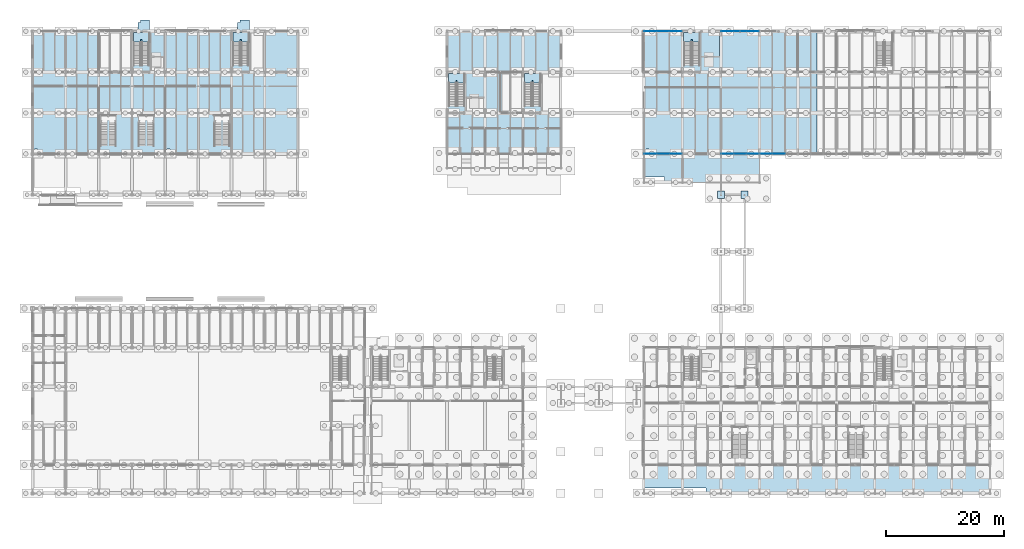
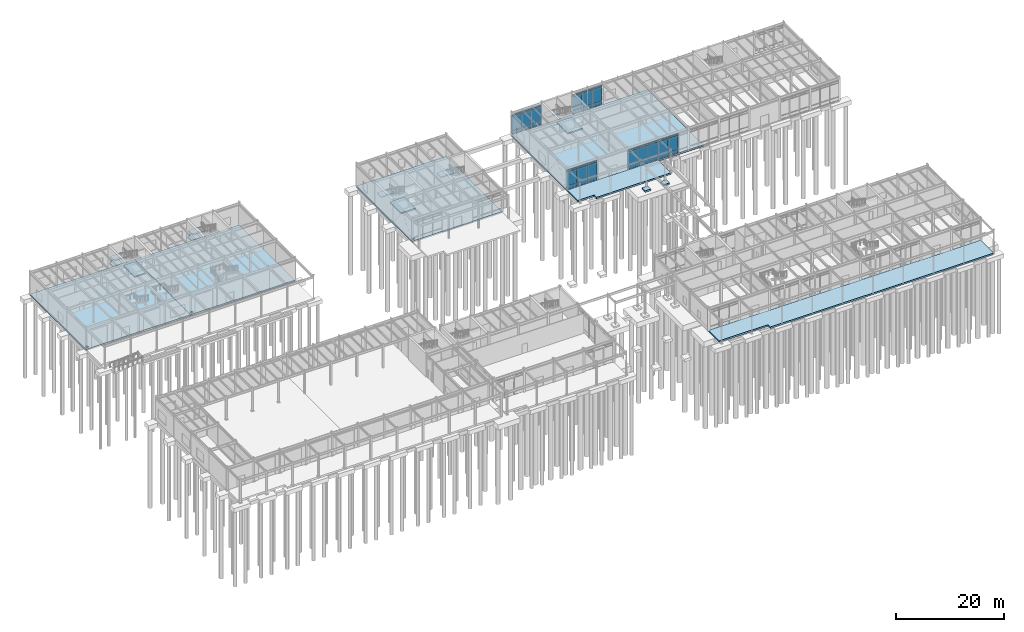
# One storey, part 52 of 82: 42 plates, 18 slabs, 10 elements without a shape of their own.
"""IFC4 building model written with IfcOpenShell, lengths in metres."""

from ifc_helpers import new_model, si_unit, direction, frame, origin, origin_2d, place, context, subcontext, project, spatial, polyline, rectangle, outline, extrude, material, layer, layer_set, type_object, element, aggregate, save


model = new_model("IFC4")

# Units and contexts
model_context = context("Model", 3, precision=1e-05, world=origin(), true_north=direction((0.0, 1.0)))
body_context = subcontext(model_context, "Body", "Model", "MODEL_VIEW")
ifc_project = project(units=[si_unit("LENGTHUNIT", "METRE"), si_unit("AREAUNIT", "SQUARE_METRE"), si_unit("VOLUMEUNIT", "CUBIC_METRE"), si_unit("PLANEANGLEUNIT", "RADIAN"), si_unit("MASSUNIT", "GRAM", prefix="KILO")], contexts=[model_context])

# Site, building, storey
site_placement = place(None, origin())
site = spatial("IfcSite", under=ifc_project, at=site_placement, CompositionType="ELEMENT")
building_placement = place(site_placement, origin())
building = spatial("IfcBuilding", under=site, at=building_placement, Name="Trelmorton Wharf Fire Station", CompositionType="ELEMENT")
storey_placement = place(building_placement, origin())
storey = spatial("IfcBuildingStorey", under=building, at=storey_placement, Name="L00", CompositionType="ELEMENT", Elevation=0.0)

# Curtain wall, plates
ifc_material_1 = material(Name="Anodised aluminium AW-6063", Category="aluminium")
ifc_layer_1 = layer(ifc_material_1, 0.159912109375)
ifc_layer_set_1 = layer_set([ifc_layer_1], Name="Anodised aluminium AW-6063")
curtain_wall_type_1 = type_object("IfcCurtainWallType", Name="CW_CHIC_A", PredefinedType="USERDEFINED", material=ifc_layer_set_1)
curtain_wall_1_placement = place(storey_placement, origin())
curtain_wall_1 = element("IfcCurtainWall", 1, at=curtain_wall_1_placement, inside=storey, type_object=curtain_wall_type_1, Name="CW-V4-L00-113", ObjectType="CHICAGO BAY CURTAIN WALL", PredefinedType="USERDEFINED")
ifc_material_2 = material(Name="Tempered low-E double glazing", Category="glass")
ifc_layer_2 = layer(ifc_material_2, 0.028076171875)
ifc_layer_set_2 = layer_set([ifc_layer_2], Name="Tempered low-E double glazing")
plate_type_1 = type_object("IfcPlateType", Name="CWP_GLAZ_28", PredefinedType="CURTAIN_PANEL", material=ifc_layer_set_2)
plate_1_placement = place(storey_placement, frame((109.3984375, 60.300048828125, 0.06005859375), z_axis=(0.0, 0.0, 1.0), x_axis=(-1.0, 0.0, 0.0)))
plate_1 = element("IfcPlate", 2, at=plate_1_placement, type_object=plate_type_1, Name="CW1 panel 1.1", PredefinedType="CURTAIN_PANEL", context=body_context, shape_type="SweptSolid", body=[
    extrude(rectangle(XDim=2.0732421875, YDim=0.028076171875, at=origin_2d()), origin(), (0.0, 0.0, 1.0), 0.760009765625),
])
plate_2_placement = place(storey_placement, frame((109.3984375, 60.300048828125, 0.8798828125), z_axis=(0.0, 0.0, 1.0), x_axis=(-1.0, 0.0, 0.0)))
plate_2 = element("IfcPlate", 3, at=plate_2_placement, type_object=plate_type_1, Name="CW1 panel 1.2", PredefinedType="CURTAIN_PANEL", context=body_context, shape_type="SweptSolid", body=[
    extrude(rectangle(XDim=2.0732421875, YDim=0.028076171875, at=origin_2d()), origin(), (0.0, 0.0, 1.0), 3.110107421875),
])
plate_3_placement = place(storey_placement, frame((109.3984375, 60.300048828125, 4.0498046875), z_axis=(0.0, 0.0, 1.0), x_axis=(-1.0, 0.0, 0.0)))
plate_3 = element("IfcPlate", 4, at=plate_3_placement, type_object=plate_type_1, Name="CW1 panel 1.3", PredefinedType="CURTAIN_PANEL", context=body_context, shape_type="SweptSolid", body=[
    extrude(rectangle(XDim=2.0732421875, YDim=0.028076171875, at=origin_2d()), origin(), (0.0, 0.0, 1.0), 0.409912109375),
])
plate_4_placement = place(storey_placement, frame((107.25, 60.300048828125, 0.06005859375), z_axis=(0.0, 0.0, 1.0), x_axis=(-1.0, 0.0, 0.0)))
plate_4 = element("IfcPlate", 5, at=plate_4_placement, type_object=plate_type_1, Name="CW1 panel 2.1", PredefinedType="CURTAIN_PANEL", context=body_context, shape_type="SweptSolid", body=[
    extrude(rectangle(XDim=2.103271484375, YDim=0.028076171875, at=origin_2d()), origin(), (0.0, 0.0, 1.0), 0.760009765625),
])
plate_5_placement = place(storey_placement, frame((107.25, 60.300048828125, 0.8798828125), z_axis=(0.0, 0.0, 1.0), x_axis=(-1.0, 0.0, 0.0)))
plate_5 = element("IfcPlate", 6, at=plate_5_placement, type_object=plate_type_1, Name="CW1 panel 2.2", PredefinedType="CURTAIN_PANEL", context=body_context, shape_type="SweptSolid", body=[
    extrude(rectangle(XDim=2.103271484375, YDim=0.028076171875, at=origin_2d()), origin(), (0.0, 0.0, 1.0), 3.110107421875),
])
plate_6_placement = place(storey_placement, frame((107.25, 60.300048828125, 4.0498046875), z_axis=(0.0, 0.0, 1.0), x_axis=(-1.0, 0.0, 0.0)))
plate_6 = element("IfcPlate", 7, at=plate_6_placement, type_object=plate_type_1, Name="CW1 panel 2.3", PredefinedType="CURTAIN_PANEL", context=body_context, shape_type="SweptSolid", body=[
    extrude(rectangle(XDim=2.103271484375, YDim=0.028076171875, at=origin_2d()), origin(), (0.0, 0.0, 1.0), 0.409912109375),
])
plate_7_placement = place(storey_placement, frame((105.1015625, 60.300048828125, 0.06005859375), z_axis=(0.0, 0.0, 1.0), x_axis=(-1.0, 0.0, 0.0)))
plate_7 = element("IfcPlate", 8, at=plate_7_placement, type_object=plate_type_1, Name="CW1 panel 3.1", PredefinedType="CURTAIN_PANEL", context=body_context, shape_type="SweptSolid", body=[
    extrude(rectangle(XDim=2.0732421875, YDim=0.028076171875, at=origin_2d()), origin(), (0.0, 0.0, 1.0), 0.760009765625),
])
plate_8_placement = place(storey_placement, frame((105.1015625, 60.300048828125, 0.8798828125), z_axis=(0.0, 0.0, 1.0), x_axis=(-1.0, 0.0, 0.0)))
plate_8 = element("IfcPlate", 9, at=plate_8_placement, type_object=plate_type_1, Name="CW1 panel 3.2", PredefinedType="CURTAIN_PANEL", context=body_context, shape_type="SweptSolid", body=[
    extrude(rectangle(XDim=2.0732421875, YDim=0.028076171875, at=origin_2d()), origin(), (0.0, 0.0, 1.0), 3.110107421875),
])
plate_9_placement = place(storey_placement, frame((105.1015625, 60.300048828125, 4.0498046875), z_axis=(0.0, 0.0, 1.0), x_axis=(-1.0, 0.0, 0.0)))
plate_9 = element("IfcPlate", 10, at=plate_9_placement, type_object=plate_type_1, Name="CW1 panel 3.3", PredefinedType="CURTAIN_PANEL", context=body_context, shape_type="SweptSolid", body=[
    extrude(rectangle(XDim=2.0732421875, YDim=0.028076171875, at=origin_2d()), origin(), (0.0, 0.0, 1.0), 0.409912109375),
])
aggregate(curtain_wall_1, [plate_1, plate_2, plate_3, plate_4, plate_5, plate_6, plate_7, plate_8, plate_9])

curtain_wall_2_placement = place(storey_placement, origin())
curtain_wall_2 = element("IfcCurtainWall", 11, at=curtain_wall_2_placement, inside=storey, type_object=curtain_wall_type_1, Name="CW-V4-L00-115", ObjectType="CHICAGO BAY CURTAIN WALL", PredefinedType="USERDEFINED")
plate_10_placement = place(storey_placement, frame((126.75, 60.300048828125, 0.06005859375), z_axis=(0.0, 0.0, 1.0), x_axis=(-1.0, 0.0, 0.0)))
plate_10 = element("IfcPlate", 12, at=plate_10_placement, type_object=plate_type_1, Name="CW1 panel 2.1", PredefinedType="CURTAIN_PANEL", context=body_context, shape_type="SweptSolid", body=[
    extrude(rectangle(XDim=2.103271484375, YDim=0.028076171875, at=origin_2d()), origin(), (0.0, 0.0, 1.0), 0.760009765625),
])
plate_11_placement = place(storey_placement, frame((126.75, 60.300048828125, 0.8798828125), z_axis=(0.0, 0.0, 1.0), x_axis=(-1.0, 0.0, 0.0)))
plate_11 = element("IfcPlate", 13, at=plate_11_placement, type_object=plate_type_1, Name="CW1 panel 2.2", PredefinedType="CURTAIN_PANEL", context=body_context, shape_type="SweptSolid", body=[
    extrude(rectangle(XDim=2.103271484375, YDim=0.028076171875, at=origin_2d()), origin(), (0.0, 0.0, 1.0), 3.110107421875),
])
plate_12_placement = place(storey_placement, frame((126.75, 60.300048828125, 4.0498046875), z_axis=(0.0, 0.0, 1.0), x_axis=(-1.0, 0.0, 0.0)))
plate_12 = element("IfcPlate", 14, at=plate_12_placement, type_object=plate_type_1, Name="CW1 panel 2.3", PredefinedType="CURTAIN_PANEL", context=body_context, shape_type="SweptSolid", body=[
    extrude(rectangle(XDim=2.103271484375, YDim=0.028076171875, at=origin_2d()), origin(), (0.0, 0.0, 1.0), 0.409912109375),
])
plate_13_placement = place(storey_placement, frame((124.6015625, 60.300048828125, 0.06005859375), z_axis=(0.0, 0.0, 1.0), x_axis=(-1.0, 0.0, 0.0)))
plate_13 = element("IfcPlate", 15, at=plate_13_placement, type_object=plate_type_1, Name="CW1 panel 3.1", PredefinedType="CURTAIN_PANEL", context=body_context, shape_type="SweptSolid", body=[
    extrude(rectangle(XDim=2.0732421875, YDim=0.028076171875, at=origin_2d()), origin(), (0.0, 0.0, 1.0), 0.760009765625),
])
plate_14_placement = place(storey_placement, frame((124.6015625, 60.300048828125, 0.8798828125), z_axis=(0.0, 0.0, 1.0), x_axis=(-1.0, 0.0, 0.0)))
plate_14 = element("IfcPlate", 16, at=plate_14_placement, type_object=plate_type_1, Name="CW1 panel 3.2", PredefinedType="CURTAIN_PANEL", context=body_context, shape_type="SweptSolid", body=[
    extrude(rectangle(XDim=2.0732421875, YDim=0.028076171875, at=origin_2d()), origin(), (0.0, 0.0, 1.0), 3.110107421875),
])
plate_15_placement = place(storey_placement, frame((124.6015625, 60.300048828125, 4.0498046875), z_axis=(0.0, 0.0, 1.0), x_axis=(-1.0, 0.0, 0.0)))
plate_15 = element("IfcPlate", 17, at=plate_15_placement, type_object=plate_type_1, Name="CW1 panel 3.3", PredefinedType="CURTAIN_PANEL", context=body_context, shape_type="SweptSolid", body=[
    extrude(rectangle(XDim=2.0732421875, YDim=0.028076171875, at=origin_2d()), origin(), (0.0, 0.0, 1.0), 0.409912109375),
])
aggregate(curtain_wall_2, [plate_10, plate_11, plate_12, plate_13, plate_14, plate_15])

ifc_layer_3 = layer(ifc_material_1, 0.14990234375)
ifc_layer_set_3 = layer_set([ifc_layer_3], Name="Anodised aluminium AW-6063")
curtain_wall_type_2 = type_object("IfcCurtainWallType", Name="CW_UNIT_A", PredefinedType="USERDEFINED", material=ifc_layer_set_3)
curtain_wall_3_placement = place(storey_placement, origin())
curtain_wall_3 = element("IfcCurtainWall", 18, at=curtain_wall_3_placement, inside=storey, type_object=curtain_wall_type_2, Name="CW-V4-L00-121", ObjectType="UNITISED CURTAIN WALL", PredefinedType="USERDEFINED")
plate_16_placement = place(storey_placement, frame((118.1015625, 81.0, 0.06005859375), z_axis=(0.0, 0.0, 1.0), x_axis=(1.0, 0.0, 0.0)))
plate_16 = element("IfcPlate", 19, at=plate_16_placement, type_object=plate_type_1, Name="CW3 panel 1.1", PredefinedType="CURTAIN_PANEL", context=body_context, shape_type="SweptSolid", body=[
    extrude(rectangle(XDim=2.0732421875, YDim=0.028076171875, at=origin_2d()), origin(), (0.0, 0.0, 1.0), 0.760009765625),
])
plate_17_placement = place(storey_placement, frame((118.1015625, 81.0, 0.8798828125), z_axis=(0.0, 0.0, 1.0), x_axis=(1.0, 0.0, 0.0)))
plate_17 = element("IfcPlate", 20, at=plate_17_placement, type_object=plate_type_1, Name="CW3 panel 1.2", PredefinedType="CURTAIN_PANEL", context=body_context, shape_type="SweptSolid", body=[
    extrude(rectangle(XDim=2.0732421875, YDim=0.028076171875, at=origin_2d()), origin(), (0.0, 0.0, 1.0), 3.110107421875),
])
plate_18_placement = place(storey_placement, frame((118.1015625, 81.0, 4.0498046875), z_axis=(0.0, 0.0, 1.0), x_axis=(1.0, 0.0, 0.0)))
plate_18 = element("IfcPlate", 21, at=plate_18_placement, type_object=plate_type_1, Name="CW3 panel 1.3", PredefinedType="CURTAIN_PANEL", context=body_context, shape_type="SweptSolid", body=[
    extrude(rectangle(XDim=2.0732421875, YDim=0.028076171875, at=origin_2d()), origin(), (0.0, 0.0, 1.0), 0.409912109375),
])
plate_19_placement = place(storey_placement, frame((120.25, 81.0, 0.06005859375), z_axis=(0.0, 0.0, 1.0), x_axis=(1.0, 0.0, 0.0)))
plate_19 = element("IfcPlate", 22, at=plate_19_placement, type_object=plate_type_1, Name="CW3 panel 2.1", PredefinedType="CURTAIN_PANEL", context=body_context, shape_type="SweptSolid", body=[
    extrude(rectangle(XDim=2.103271484375, YDim=0.028076171875, at=origin_2d()), origin(), (0.0, 0.0, 1.0), 0.760009765625),
])
plate_20_placement = place(storey_placement, frame((120.25, 81.0, 0.8798828125), z_axis=(0.0, 0.0, 1.0), x_axis=(1.0, 0.0, 0.0)))
plate_20 = element("IfcPlate", 23, at=plate_20_placement, type_object=plate_type_1, Name="CW3 panel 2.2", PredefinedType="CURTAIN_PANEL", context=body_context, shape_type="SweptSolid", body=[
    extrude(rectangle(XDim=2.103271484375, YDim=0.028076171875, at=origin_2d()), origin(), (0.0, 0.0, 1.0), 3.110107421875),
])
plate_21_placement = place(storey_placement, frame((120.25, 81.0, 4.0498046875), z_axis=(0.0, 0.0, 1.0), x_axis=(1.0, 0.0, 0.0)))
plate_21 = element("IfcPlate", 24, at=plate_21_placement, type_object=plate_type_1, Name="CW3 panel 2.3", PredefinedType="CURTAIN_PANEL", context=body_context, shape_type="SweptSolid", body=[
    extrude(rectangle(XDim=2.103271484375, YDim=0.028076171875, at=origin_2d()), origin(), (0.0, 0.0, 1.0), 0.409912109375),
])
plate_22_placement = place(storey_placement, frame((122.3984375, 81.0, 0.06005859375), z_axis=(0.0, 0.0, 1.0), x_axis=(1.0, 0.0, 0.0)))
plate_22 = element("IfcPlate", 25, at=plate_22_placement, type_object=plate_type_1, Name="CW3 panel 3.1", PredefinedType="CURTAIN_PANEL", context=body_context, shape_type="SweptSolid", body=[
    extrude(rectangle(XDim=2.0732421875, YDim=0.028076171875, at=origin_2d()), origin(), (0.0, 0.0, 1.0), 0.760009765625),
])
plate_23_placement = place(storey_placement, frame((122.3984375, 81.0, 0.8798828125), z_axis=(0.0, 0.0, 1.0), x_axis=(1.0, 0.0, 0.0)))
plate_23 = element("IfcPlate", 26, at=plate_23_placement, type_object=plate_type_1, Name="CW3 panel 3.2", PredefinedType="CURTAIN_PANEL", context=body_context, shape_type="SweptSolid", body=[
    extrude(rectangle(XDim=2.0732421875, YDim=0.028076171875, at=origin_2d()), origin(), (0.0, 0.0, 1.0), 3.110107421875),
])
plate_24_placement = place(storey_placement, frame((122.3984375, 81.0, 4.0498046875), z_axis=(0.0, 0.0, 1.0), x_axis=(1.0, 0.0, 0.0)))
plate_24 = element("IfcPlate", 27, at=plate_24_placement, type_object=plate_type_1, Name="CW3 panel 3.3", PredefinedType="CURTAIN_PANEL", context=body_context, shape_type="SweptSolid", body=[
    extrude(rectangle(XDim=2.0732421875, YDim=0.028076171875, at=origin_2d()), origin(), (0.0, 0.0, 1.0), 0.409912109375),
])
aggregate(curtain_wall_3, [plate_16, plate_17, plate_18, plate_19, plate_20, plate_21, plate_22, plate_23, plate_24])

curtain_wall_4_placement = place(storey_placement, origin())
curtain_wall_4 = element("IfcCurtainWall", 28, at=curtain_wall_4_placement, inside=storey, type_object=curtain_wall_type_1, Name="CW-V4-L00-114", ObjectType="CHICAGO BAY CURTAIN WALL", PredefinedType="USERDEFINED")
ifc_material_3 = material(Name="Ceramic-fritted spandrel glazing", Category="glass")
ifc_layer_4 = layer(ifc_material_3, 0.028076171875)
ifc_layer_set_4 = layer_set([ifc_layer_4], Name="Ceramic-fritted spandrel glazing")
plate_type_2 = type_object("IfcPlateType", Name="CWP_SPAN_48", PredefinedType="CURTAIN_PANEL", material=ifc_layer_set_4)
plate_25_placement = place(storey_placement, frame((122.3984375, 60.300048828125, 0.06005859375), z_axis=(0.0, 0.0, 1.0), x_axis=(-1.0, 0.0, 0.0)))
plate_25 = element("IfcPlate", 29, at=plate_25_placement, type_object=plate_type_2, Name="CW1 panel 1.1", PredefinedType="CURTAIN_PANEL", context=body_context, shape_type="SweptSolid", body=[
    extrude(rectangle(XDim=2.0732421875, YDim=0.028076171875, at=origin_2d()), origin(), (0.0, 0.0, 1.0), 0.760009765625),
])
plate_26_placement = place(storey_placement, frame((122.3984375, 60.300048828125, 0.8798828125), z_axis=(0.0, 0.0, 1.0), x_axis=(-1.0, 0.0, 0.0)))
plate_26 = element("IfcPlate", 30, at=plate_26_placement, type_object=plate_type_2, Name="CW1 panel 1.2", PredefinedType="CURTAIN_PANEL", context=body_context, shape_type="SweptSolid", body=[
    extrude(rectangle(XDim=2.0732421875, YDim=0.028076171875, at=origin_2d()), origin(), (0.0, 0.0, 1.0), 3.110107421875),
])
plate_27_placement = place(storey_placement, frame((122.3984375, 60.300048828125, 4.0498046875), z_axis=(0.0, 0.0, 1.0), x_axis=(-1.0, 0.0, 0.0)))
plate_27 = element("IfcPlate", 31, at=plate_27_placement, type_object=plate_type_2, Name="CW1 panel 1.3", PredefinedType="CURTAIN_PANEL", context=body_context, shape_type="SweptSolid", body=[
    extrude(rectangle(XDim=2.0732421875, YDim=0.028076171875, at=origin_2d()), origin(), (0.0, 0.0, 1.0), 0.409912109375),
])
plate_28_placement = place(storey_placement, frame((120.25, 60.300048828125, 0.06005859375), z_axis=(0.0, 0.0, 1.0), x_axis=(-1.0, 0.0, 0.0)))
plate_28 = element("IfcPlate", 32, at=plate_28_placement, type_object=plate_type_2, Name="CW1 panel 2.1", PredefinedType="CURTAIN_PANEL", context=body_context, shape_type="SweptSolid", body=[
    extrude(rectangle(XDim=2.103271484375, YDim=0.028076171875, at=origin_2d()), origin(), (0.0, 0.0, 1.0), 0.760009765625),
])
plate_29_placement = place(storey_placement, frame((120.25, 60.300048828125, 0.8798828125), z_axis=(0.0, 0.0, 1.0), x_axis=(-1.0, 0.0, 0.0)))
plate_29 = element("IfcPlate", 33, at=plate_29_placement, type_object=plate_type_2, Name="CW1 panel 2.2", PredefinedType="CURTAIN_PANEL", context=body_context, shape_type="SweptSolid", body=[
    extrude(rectangle(XDim=2.103271484375, YDim=0.028076171875, at=origin_2d()), origin(), (0.0, 0.0, 1.0), 3.110107421875),
])
plate_30_placement = place(storey_placement, frame((120.25, 60.300048828125, 4.0498046875), z_axis=(0.0, 0.0, 1.0), x_axis=(-1.0, 0.0, 0.0)))
plate_30 = element("IfcPlate", 34, at=plate_30_placement, type_object=plate_type_2, Name="CW1 panel 2.3", PredefinedType="CURTAIN_PANEL", context=body_context, shape_type="SweptSolid", body=[
    extrude(rectangle(XDim=2.103271484375, YDim=0.028076171875, at=origin_2d()), origin(), (0.0, 0.0, 1.0), 0.409912109375),
])
plate_31_placement = place(storey_placement, frame((118.1015625, 60.300048828125, 0.06005859375), z_axis=(0.0, 0.0, 1.0), x_axis=(-1.0, 0.0, 0.0)))
plate_31 = element("IfcPlate", 35, at=plate_31_placement, type_object=plate_type_2, Name="CW1 panel 3.1", PredefinedType="CURTAIN_PANEL", context=body_context, shape_type="SweptSolid", body=[
    extrude(rectangle(XDim=2.0732421875, YDim=0.028076171875, at=origin_2d()), origin(), (0.0, 0.0, 1.0), 0.760009765625),
])
plate_32_placement = place(storey_placement, frame((118.1015625, 60.300048828125, 0.8798828125), z_axis=(0.0, 0.0, 1.0), x_axis=(-1.0, 0.0, 0.0)))
plate_32 = element("IfcPlate", 36, at=plate_32_placement, type_object=plate_type_2, Name="CW1 panel 3.2", PredefinedType="CURTAIN_PANEL", context=body_context, shape_type="SweptSolid", body=[
    extrude(rectangle(XDim=2.0732421875, YDim=0.028076171875, at=origin_2d()), origin(), (0.0, 0.0, 1.0), 3.110107421875),
])
plate_33_placement = place(storey_placement, frame((118.1015625, 60.300048828125, 4.0498046875), z_axis=(0.0, 0.0, 1.0), x_axis=(-1.0, 0.0, 0.0)))
plate_33 = element("IfcPlate", 37, at=plate_33_placement, type_object=plate_type_2, Name="CW1 panel 3.3", PredefinedType="CURTAIN_PANEL", context=body_context, shape_type="SweptSolid", body=[
    extrude(rectangle(XDim=2.0732421875, YDim=0.028076171875, at=origin_2d()), origin(), (0.0, 0.0, 1.0), 0.409912109375),
])
aggregate(curtain_wall_4, [plate_25, plate_26, plate_27, plate_28, plate_29, plate_30, plate_31, plate_32, plate_33])

curtain_wall_5_placement = place(storey_placement, origin())
curtain_wall_5 = element("IfcCurtainWall", 38, at=curtain_wall_5_placement, inside=storey, type_object=curtain_wall_type_2, Name="CW-V4-L00-120", ObjectType="UNITISED CURTAIN WALL", PredefinedType="USERDEFINED")
plate_34_placement = place(storey_placement, frame((105.1015625, 81.0, 0.06005859375), z_axis=(0.0, 0.0, 1.0), x_axis=(1.0, 0.0, 0.0)))
plate_34 = element("IfcPlate", 39, at=plate_34_placement, type_object=plate_type_2, Name="CW3 panel 1.1", PredefinedType="CURTAIN_PANEL", context=body_context, shape_type="SweptSolid", body=[
    extrude(rectangle(XDim=2.0732421875, YDim=0.028076171875, at=origin_2d()), origin(), (0.0, 0.0, 1.0), 0.760009765625),
])
plate_35_placement = place(storey_placement, frame((105.1015625, 81.0, 0.8798828125), z_axis=(0.0, 0.0, 1.0), x_axis=(1.0, 0.0, 0.0)))
plate_35 = element("IfcPlate", 40, at=plate_35_placement, type_object=plate_type_2, Name="CW3 panel 1.2", PredefinedType="CURTAIN_PANEL", context=body_context, shape_type="SweptSolid", body=[
    extrude(rectangle(XDim=2.0732421875, YDim=0.028076171875, at=origin_2d()), origin(), (0.0, 0.0, 1.0), 3.110107421875),
])
plate_36_placement = place(storey_placement, frame((105.1015625, 81.0, 4.0498046875), z_axis=(0.0, 0.0, 1.0), x_axis=(1.0, 0.0, 0.0)))
plate_36 = element("IfcPlate", 41, at=plate_36_placement, type_object=plate_type_2, Name="CW3 panel 1.3", PredefinedType="CURTAIN_PANEL", context=body_context, shape_type="SweptSolid", body=[
    extrude(rectangle(XDim=2.0732421875, YDim=0.028076171875, at=origin_2d()), origin(), (0.0, 0.0, 1.0), 0.409912109375),
])
plate_37_placement = place(storey_placement, frame((107.25, 81.0, 0.06005859375), z_axis=(0.0, 0.0, 1.0), x_axis=(1.0, 0.0, 0.0)))
plate_37 = element("IfcPlate", 42, at=plate_37_placement, type_object=plate_type_2, Name="CW3 panel 2.1", PredefinedType="CURTAIN_PANEL", context=body_context, shape_type="SweptSolid", body=[
    extrude(rectangle(XDim=2.103271484375, YDim=0.028076171875, at=origin_2d()), origin(), (0.0, 0.0, 1.0), 0.760009765625),
])
plate_38_placement = place(storey_placement, frame((107.25, 81.0, 0.8798828125), z_axis=(0.0, 0.0, 1.0), x_axis=(1.0, 0.0, 0.0)))
plate_38 = element("IfcPlate", 43, at=plate_38_placement, type_object=plate_type_2, Name="CW3 panel 2.2", PredefinedType="CURTAIN_PANEL", context=body_context, shape_type="SweptSolid", body=[
    extrude(rectangle(XDim=2.103271484375, YDim=0.028076171875, at=origin_2d()), origin(), (0.0, 0.0, 1.0), 3.110107421875),
])
plate_39_placement = place(storey_placement, frame((107.25, 81.0, 4.0498046875), z_axis=(0.0, 0.0, 1.0), x_axis=(1.0, 0.0, 0.0)))
plate_39 = element("IfcPlate", 44, at=plate_39_placement, type_object=plate_type_2, Name="CW3 panel 2.3", PredefinedType="CURTAIN_PANEL", context=body_context, shape_type="SweptSolid", body=[
    extrude(rectangle(XDim=2.103271484375, YDim=0.028076171875, at=origin_2d()), origin(), (0.0, 0.0, 1.0), 0.409912109375),
])
plate_40_placement = place(storey_placement, frame((109.3984375, 81.0, 0.06005859375), z_axis=(0.0, 0.0, 1.0), x_axis=(1.0, 0.0, 0.0)))
plate_40 = element("IfcPlate", 45, at=plate_40_placement, type_object=plate_type_2, Name="CW3 panel 3.1", PredefinedType="CURTAIN_PANEL", context=body_context, shape_type="SweptSolid", body=[
    extrude(rectangle(XDim=2.0732421875, YDim=0.028076171875, at=origin_2d()), origin(), (0.0, 0.0, 1.0), 0.760009765625),
])
plate_41_placement = place(storey_placement, frame((109.3984375, 81.0, 0.8798828125), z_axis=(0.0, 0.0, 1.0), x_axis=(1.0, 0.0, 0.0)))
plate_41 = element("IfcPlate", 46, at=plate_41_placement, type_object=plate_type_2, Name="CW3 panel 3.2", PredefinedType="CURTAIN_PANEL", context=body_context, shape_type="SweptSolid", body=[
    extrude(rectangle(XDim=2.0732421875, YDim=0.028076171875, at=origin_2d()), origin(), (0.0, 0.0, 1.0), 3.110107421875),
])
plate_42_placement = place(storey_placement, frame((109.3984375, 81.0, 4.0498046875), z_axis=(0.0, 0.0, 1.0), x_axis=(1.0, 0.0, 0.0)))
plate_42 = element("IfcPlate", 47, at=plate_42_placement, type_object=plate_type_2, Name="CW3 panel 3.3", PredefinedType="CURTAIN_PANEL", context=body_context, shape_type="SweptSolid", body=[
    extrude(rectangle(XDim=2.0732421875, YDim=0.028076171875, at=origin_2d()), origin(), (0.0, 0.0, 1.0), 0.409912109375),
])
aggregate(curtain_wall_5, [plate_34, plate_35, plate_36, plate_37, plate_38, plate_39, plate_40, plate_41, plate_42])

# Slabs
ifc_material_4 = material(Name="Concrete 40 MPa", Category="concrete")
ifc_layer_5 = layer(ifc_material_4, 0.35009765625)
ifc_layer_set_5 = layer_set([ifc_layer_5], Name="Concrete 40 MPa")
slab_type_1 = type_object("IfcSlabType", Name="SL_BASE_350", PredefinedType="BASESLAB", material=ifc_layer_set_5)
slab_1_placement = place(storey_placement, frame((0.0, 0.0, -0.35009765625)))
element("IfcSlab", 48, at=slab_1_placement, inside=storey, type_object=slab_type_1, Name="SL-EXT-V5_COLONNADE_L00", PredefinedType="BASESLAB", context=body_context, shape_type="SweptSolid", body=[
    extrude(outline(polyline([(104.0, 7.800048828125), (162.39990234375, 7.800048828125), (162.39990234375, 3.0), (114.511962890625, 3.0), (114.511962890625, 3.864013671875), (104.0, 3.864013671875), (104.0, 7.800048828125)])), origin(), (0.0, 0.0, 1.0), 0.35009765625),
])
slab_2_placement = place(storey_placement, frame((0.0, 0.0, -0.35009765625)))
element("IfcSlab", 49, at=slab_2_placement, inside=storey, type_object=slab_type_1, Name="SL-V6-L00-031", PredefinedType="BASESLAB", context=body_context, shape_type="SweptSolid", body=[
    extrude(outline(polyline([(23.199951171875, 60.300048828125), (0.800048828125, 60.300048828125), (0.800048828125, 81.0), (23.199951171875, 81.0), (23.199951171875, 60.300048828125)]), holes=[polyline([(1.64990234375, 61.14990234375), (1.14990234375, 61.14990234375), (1.14990234375, 60.64990234375), (1.64990234375, 60.64990234375), (1.64990234375, 61.14990234375)])]), origin(), (0.0, 0.0, 1.0), 0.35009765625),
])
slab_3_placement = place(storey_placement, frame((0.0, 0.0, -0.35009765625)))
element("IfcSlab", 50, at=slab_3_placement, inside=storey, type_object=slab_type_1, Name="SL-V6-L00-032", PredefinedType="BASESLAB", context=body_context, shape_type="SweptSolid", body=[
    extrude(outline(polyline([(23.199951171875, 60.300048828125), (23.199951171875, 81.0), (45.60009765625, 81.0), (45.60009765625, 60.300048828125), (23.199951171875, 60.300048828125)]), holes=[polyline([(24.050048828125, 61.14990234375), (23.550048828125, 61.14990234375), (23.550048828125, 60.64990234375), (24.050048828125, 60.64990234375), (24.050048828125, 61.14990234375)])]), origin(), (0.0, 0.0, 1.0), 0.35009765625),
])
slab_4_placement = place(storey_placement, frame((0.0, 0.0, -0.35009765625)))
element("IfcSlab", 51, at=slab_4_placement, inside=storey, type_object=slab_type_1, Name="SL-V2-L00-038", PredefinedType="BASESLAB", context=body_context, shape_type="SweptSolid", body=[
    extrude(outline(polyline([(70.800048828125, 60.300048828125), (70.800048828125, 81.0), (90.0, 81.0), (90.0, 60.300048828125), (70.800048828125, 60.300048828125)]), holes=[polyline([(71.64990234375, 61.14990234375), (71.14990234375, 61.14990234375), (71.14990234375, 60.64990234375), (71.64990234375, 60.64990234375), (71.64990234375, 61.14990234375)])]), origin(), (0.0, 0.0, 1.0), 0.35009765625),
])
slab_5_placement = place(storey_placement, frame((0.0, 0.0, -0.35009765625)))
element("IfcSlab", 52, at=slab_5_placement, inside=storey, type_object=slab_type_1, Name="SL-V4-L00-051", PredefinedType="BASESLAB", context=body_context, shape_type="SweptSolid", body=[
    extrude(outline(polyline([(133.199951171875, 60.300048828125), (104.0, 60.300048828125), (104.0, 81.0), (133.199951171875, 81.0), (133.199951171875, 60.300048828125)]), holes=[polyline([(104.85009765625, 61.14990234375), (104.35009765625, 61.14990234375), (104.35009765625, 60.64990234375), (104.85009765625, 60.64990234375), (104.85009765625, 61.14990234375)])]), origin(), (0.0, 0.0, 1.0), 0.35009765625),
])
slab_6_placement = place(storey_placement, frame((0.0, 0.0, -0.35009765625)))
element("IfcSlab", 53, at=slab_6_placement, inside=storey, type_object=slab_type_1, Name="SL-EXT-V4_YARD_LOGGIA_L00", PredefinedType="BASESLAB", context=body_context, shape_type="SweptSolid", body=[
    extrude(outline(polyline([(104.0, 60.300048828125), (123.5, 60.300048828125), (123.5, 55.5), (107.510009765625, 55.5), (107.510009765625, 56.364013671875), (104.0, 56.364013671875), (104.0, 60.300048828125)])), origin(), (0.0, 0.0, 1.0), 0.35009765625),
])
slab_7_placement = place(storey_placement, frame((0.0, 0.0, -0.35009765625)))
element("IfcSlab", 54, at=slab_7_placement, inside=storey, type_object=slab_type_1, Name="SL-PED-117-534", PredefinedType="BASESLAB", context=body_context, shape_type="SweptSolid", body=[
    extrude(outline(polyline([(117.60009765625, 52.800048828125), (117.60009765625, 54.0), (116.39990234375, 54.0), (116.39990234375, 52.800048828125), (117.60009765625, 52.800048828125)])), origin(), (0.0, 0.0, 1.0), 0.35009765625),
])
slab_8_placement = place(storey_placement, frame((0.0, 0.0, -0.35009765625)))
element("IfcSlab", 55, at=slab_8_placement, inside=storey, type_object=slab_type_1, Name="SL-PED-121-534", PredefinedType="BASESLAB", context=body_context, shape_type="SweptSolid", body=[
    extrude(outline(polyline([(121.60009765625, 52.800048828125), (121.60009765625, 54.0), (120.39990234375, 54.0), (120.39990234375, 52.800048828125), (121.60009765625, 52.800048828125)])), origin(), (0.0, 0.0, 1.0), 0.35009765625),
])
slab_9_placement = place(storey_placement, frame((0.0, 0.0, -0.35009765625)))
element("IfcSlab", 56, at=slab_9_placement, inside=storey, type_object=slab_type_1, Name="SL-EXT-EXIT-C5", PredefinedType="BASESLAB", context=body_context, shape_type="SweptSolid", body=[
    extrude(outline(polyline([(20.60009765625, 82.89990234375), (20.60009765625, 81.0), (18.60009765625, 81.0), (18.60009765625, 82.5), (19.050048828125, 82.5), (19.050048828125, 82.89990234375), (20.60009765625, 82.89990234375)])), origin(), (0.0, 0.0, 1.0), 0.35009765625),
])
slab_10_placement = place(storey_placement, frame((0.0, 0.0, -0.35009765625)))
element("IfcSlab", 57, at=slab_10_placement, inside=storey, type_object=slab_type_1, Name="SL-EXT-EXIT-C5B", PredefinedType="BASESLAB", context=body_context, shape_type="SweptSolid", body=[
    extrude(outline(polyline([(37.39990234375, 82.89990234375), (37.39990234375, 81.0), (35.39990234375, 81.0), (35.39990234375, 82.5), (35.85009765625, 82.5), (35.85009765625, 82.89990234375), (37.39990234375, 82.89990234375)])), origin(), (0.0, 0.0, 1.0), 0.35009765625),
])

# Stair, slab
ifc_material_5 = material(Name="Precast concrete 45 MPa", Category="concrete")
stair_type = type_object("IfcStairType", Name="ST_DOG_540", PredefinedType="HALF_TURN_STAIR", material=ifc_material_5)
stair_1_placement = place(storey_placement, origin())
stair_1 = element("IfcStair", 58, at=stair_1_placement, inside=storey, type_object=stair_type, Name="Escape Stair ST6-L00", PredefinedType="HALF_TURN_STAIR")
ifc_layer_6 = layer(ifc_material_5, 0.199951171875)
ifc_layer_set_6 = layer_set([ifc_layer_6], Name="Precast concrete 45 MPa")
slab_type_2 = type_object("IfcSlabType", Name="SL_LAND_180", PredefinedType="LANDING", material=ifc_layer_set_6)
slab_11_placement = place(storey_placement, frame((0.0, 0.0, 2.5)))
slab_11 = element("IfcSlab", 59, at=slab_11_placement, type_object=slab_type_2, Name="ST6-L00 landing 1", PredefinedType="LANDING", context=body_context, shape_type="SweptSolid", body=[
    extrude(outline(polyline([(17.824951171875, 79.159912109375), (19.06005859375, 79.159912109375), (19.06005859375, 79.580078125), (19.260009765625, 79.580078125), (19.260009765625, 79.159912109375), (20.60498046875, 79.159912109375), (20.60498046875, 80.77490234375), (17.824951171875, 80.77490234375), (17.824951171875, 79.159912109375)])), origin(), (0.0, 0.0, 1.0), 0.199951171875),
])
aggregate(stair_1, [slab_11])

stair_2_placement = place(storey_placement, origin())
stair_2 = element("IfcStair", 60, at=stair_2_placement, inside=storey, type_object=stair_type, Name="Escape Stair ST7-L00", PredefinedType="HALF_TURN_STAIR")
slab_12_placement = place(storey_placement, frame((0.0, 0.0, 2.5)))
slab_12 = element("IfcSlab", 61, at=slab_12_placement, type_object=slab_type_2, Name="ST7-L00 landing 1", PredefinedType="LANDING", context=body_context, shape_type="SweptSolid", body=[
    extrude(outline(polyline([(34.625, 79.159912109375), (35.860107421875, 79.159912109375), (35.860107421875, 79.580078125), (36.06005859375, 79.580078125), (36.06005859375, 79.159912109375), (37.405029296875, 79.159912109375), (37.405029296875, 80.77490234375), (34.625, 80.77490234375), (34.625, 79.159912109375)])), origin(), (0.0, 0.0, 1.0), 0.199951171875),
])
aggregate(stair_2, [slab_12])

stair_3_placement = place(storey_placement, origin())
stair_3 = element("IfcStair", 62, at=stair_3_placement, inside=storey, type_object=stair_type, Name="Escape Stair ST8-L00", PredefinedType="HALF_TURN_STAIR")
slab_13_placement = place(storey_placement, frame((0.0, 0.0, 2.5)))
slab_13 = element("IfcSlab", 63, at=slab_13_placement, type_object=slab_type_2, Name="ST8-L00 landing 1", PredefinedType="LANDING", context=body_context, shape_type="SweptSolid", body=[
    extrude(outline(polyline([(71.02490234375, 72.260009765625), (72.300048828125, 72.260009765625), (72.300048828125, 72.679931640625), (72.5, 72.679931640625), (72.5, 72.260009765625), (73.804931640625, 72.260009765625), (73.804931640625, 73.875), (71.02490234375, 73.875), (71.02490234375, 72.260009765625)])), origin(), (0.0, 0.0, 1.0), 0.199951171875),
])
aggregate(stair_3, [slab_13])

stair_4_placement = place(storey_placement, origin())
stair_4 = element("IfcStair", 64, at=stair_4_placement, inside=storey, type_object=stair_type, Name="Escape Stair ST9-L00", PredefinedType="HALF_TURN_STAIR")
slab_14_placement = place(storey_placement, frame((0.0, 0.0, 2.5)))
slab_14 = element("IfcSlab", 65, at=slab_14_placement, type_object=slab_type_2, Name="ST9-L00 landing 1", PredefinedType="LANDING", context=body_context, shape_type="SweptSolid", body=[
    extrude(outline(polyline([(83.824951171875, 72.260009765625), (85.10009765625, 72.260009765625), (85.10009765625, 72.679931640625), (85.300048828125, 72.679931640625), (85.300048828125, 72.260009765625), (86.60498046875, 72.260009765625), (86.60498046875, 73.875), (83.824951171875, 73.875), (83.824951171875, 72.260009765625)])), origin(), (0.0, 0.0, 1.0), 0.199951171875),
])
aggregate(stair_4, [slab_14])

stair_5_placement = place(storey_placement, origin())
stair_5 = element("IfcStair", 66, at=stair_5_placement, inside=storey, type_object=stair_type, Name="Escape Stair ST10-L00", PredefinedType="HALF_TURN_STAIR")
slab_15_placement = place(storey_placement, frame((0.0, 0.0, 2.5)))
slab_15 = element("IfcSlab", 67, at=slab_15_placement, type_object=slab_type_2, Name="ST10-L00 landing 1", PredefinedType="LANDING", context=body_context, shape_type="SweptSolid", body=[
    extrude(outline(polyline([(110.72509765625, 79.159912109375), (112.0, 79.159912109375), (112.0, 79.580078125), (112.199951171875, 79.580078125), (112.199951171875, 79.159912109375), (113.5048828125, 79.159912109375), (113.5048828125, 80.77490234375), (110.72509765625, 80.77490234375), (110.72509765625, 79.159912109375)])), origin(), (0.0, 0.0, 1.0), 0.199951171875),
])
aggregate(stair_5, [slab_15])

# Slabs
ifc_material_6 = material(Name="Concrete 45 MPa", Category="concrete")
ifc_layer_7 = layer(ifc_material_6, 0.320068359375)
ifc_layer_set_7 = layer_set([ifc_layer_7], Name="Concrete 45 MPa")
slab_type_3 = type_object("IfcSlabType", Name="SL_PIT_320", PredefinedType="BASESLAB", material=ifc_layer_set_7)
slab_16_placement = place(storey_placement, frame((0.0, 0.0, -0.669921875)))
element("IfcSlab", 68, at=slab_16_placement, inside=storey, type_object=slab_type_3, Name="SL-PIT-C5", PredefinedType="BASESLAB", context=body_context, shape_type="SweptSolid", body=[
    extrude(outline(polyline([(20.659912109375, 76.639892578125), (22.9951171875, 76.639892578125), (22.9951171875, 80.794921875), (20.659912109375, 80.794921875), (20.659912109375, 76.639892578125)])), origin(), (0.0, 0.0, 1.0), 0.31982421875),
])
slab_17_placement = place(storey_placement, frame((0.0, 0.0, -0.669921875)))
element("IfcSlab", 69, at=slab_17_placement, inside=storey, type_object=slab_type_3, Name="SL-PIT-C6", PredefinedType="BASESLAB", context=body_context, shape_type="SweptSolid", body=[
    extrude(outline(polyline([(73.860107421875, 69.739990234375), (76.9951171875, 69.739990234375), (76.9951171875, 73.89501953125), (73.860107421875, 73.89501953125), (73.860107421875, 69.739990234375)])), origin(), (0.0, 0.0, 1.0), 0.31982421875),
])
slab_18_placement = place(storey_placement, frame((0.0, 0.0, -0.669921875)))
element("IfcSlab", 70, at=slab_18_placement, inside=storey, type_object=slab_type_3, Name="SL-PIT-C7", PredefinedType="BASESLAB", context=body_context, shape_type="SweptSolid", body=[
    extrude(outline(polyline([(113.56005859375, 76.639892578125), (116.794921875, 76.639892578125), (116.794921875, 80.794921875), (113.56005859375, 80.794921875), (113.56005859375, 76.639892578125)])), origin(), (0.0, 0.0, 1.0), 0.31982421875),
])

save(model, "model.ifc")
